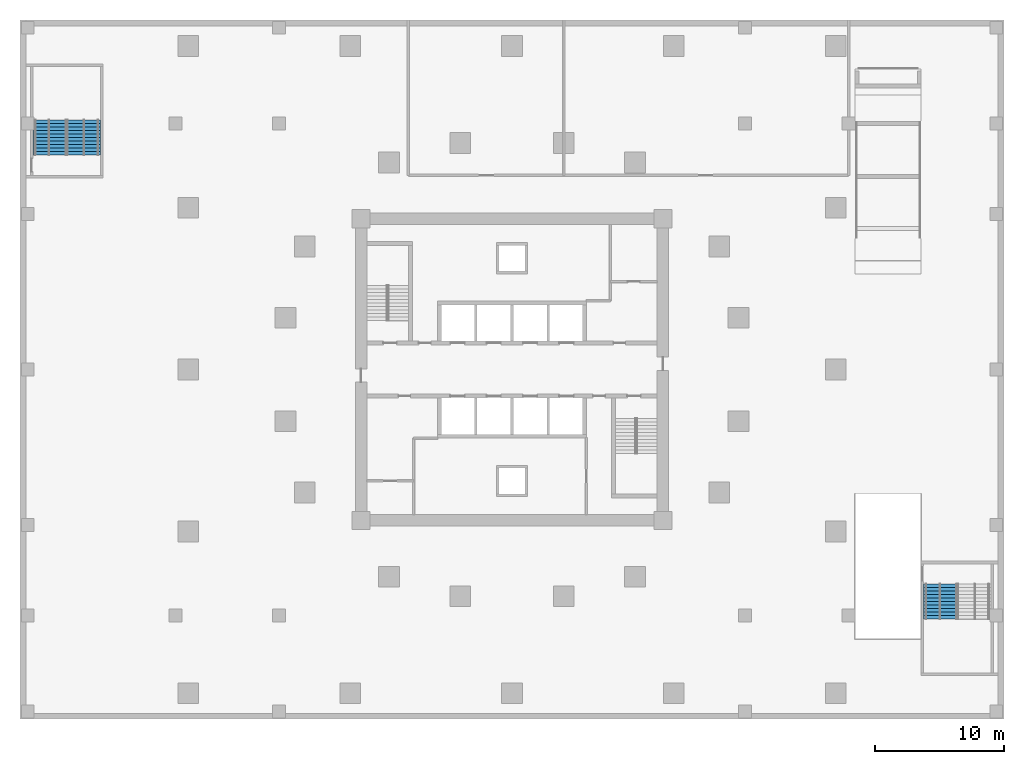
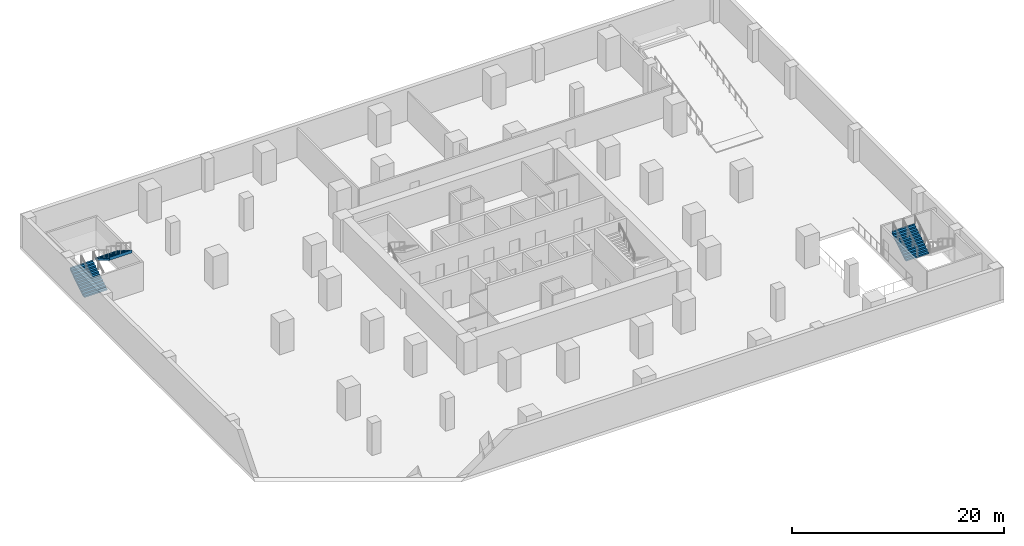
# One storey, part 7 of 9: 3 stair flights, 2 elements without a shape of their own.
"""IFC4 building model written with IfcOpenShell, lengths in metres."""

from ifc_helpers import new_model, si_unit, direction, frame, origin, place, context, subcontext, project, spatial, faceted_brep, material, type_object, element, aggregate, save


model = new_model("IFC4")

# Units and contexts
model_context = context("Model", 3, precision=1e-05, world=origin(), true_north=direction((0.0, 1.0)))
body_context = subcontext(model_context, "Body", "Model", "MODEL_VIEW")
ifc_project = project(units=[si_unit("LENGTHUNIT", "METRE"), si_unit("AREAUNIT", "SQUARE_METRE"), si_unit("VOLUMEUNIT", "CUBIC_METRE"), si_unit("PLANEANGLEUNIT", "RADIAN"), si_unit("MASSUNIT", "GRAM", prefix="KILO")], contexts=[model_context])

# Site, building, storey
site_placement = place(None, origin())
site = spatial("IfcSite", under=ifc_project, at=site_placement, CompositionType="ELEMENT")
building_placement = place(site_placement, origin())
building = spatial("IfcBuilding", under=site, at=building_placement, Name="Torsade Residences", CompositionType="ELEMENT")
storey_placement = place(building_placement, frame((0.0, 0.0, -3.699951171875)))
storey = spatial("IfcBuildingStorey", under=building, at=storey_placement, Name="B1", CompositionType="ELEMENT", Elevation=-3.699951171875)

# Stair, stair flights
ifc_material_1 = material(Name="Concrete 40 MPa", Category="concrete")
stair_type = type_object("IfcStairType", Name="HALF-TURN PODIUM STAIR 2500x3700", PredefinedType="HALF_TURN_STAIR", material=ifc_material_1)
stair_1_placement = place(storey_placement, origin())
stair_1 = element("IfcStair", 1, at=stair_1_placement, inside=storey, type_object=stair_type, Name="Stair ST3 B1", PredefinedType="HALF_TURN_STAIR")
ifc_material_2 = material(Name="Concrete 40 MPa", Category="concrete")
stair_flight_type = type_object("IfcStairFlightType", Name="PODIUM STAIR FLIGHT 2500x1850", PredefinedType="STRAIGHT", material=ifc_material_2)
stair_flight_1_placement = place(storey_placement, frame((4.25, 46.580078125, 0.0), z_axis=(0.0, 0.0, 1.0), x_axis=(0.0, 1.0, 0.0)))
stair_flight_1 = element("IfcStairFlight", 2, at=stair_flight_1_placement, type_object=stair_flight_type, Name="ST3 flight 1", NumberOfRisers=11, NumberOfTreads=10, PredefinedType="STRAIGHT", RiserHeight=0.168181818, TreadLength=0.27, context=body_context, shape_type="Brep", body=[
    faceted_brep([(0.0, 1.25, 0.0), (0.0, 1.25, 0.168212890625), (0.27001953125, 1.25, 0.168212890625), (0.27001953125, 1.25, 0.33642578125), (0.5400390625, 1.25, 0.33642578125), (0.5400390625, 1.25, 0.504638671875), (0.81005859375, 1.25, 0.504638671875), (0.81005859375, 1.25, 0.672607421875), (1.080078125, 1.25, 0.672607421875), (1.080078125, 1.25, 0.8408203125), (1.35009765625, 1.25, 0.8408203125), (1.35009765625, 1.25, 1.009033203125), (1.6201171875, 1.25, 1.009033203125), (1.6201171875, 1.25, 1.17724609375), (1.889892578125, 1.25, 1.17724609375), (1.889892578125, 1.25, 1.345458984375), (2.159912109375, 1.25, 1.345458984375), (2.159912109375, 1.25, 1.513671875), (2.429931640625, 1.25, 1.513671875), (2.429931640625, 1.25, 1.681884765625), (2.699951171875, 1.25, 1.681884765625), (2.699951171875, 1.25, 1.85009765625), (2.7099609375, 1.25, 1.85009765625), (2.7099609375, 1.25, 1.505126953125), (2.699951171875, 1.25, 1.505126953125), (0.283447265625, 1.25, 0.0), (0.283447265625, -1.25, 0.0), (2.699951171875, -1.25, 1.505126953125), (2.7099609375, -1.25, 1.505126953125), (2.7099609375, -1.25, 1.85009765625), (2.699951171875, -1.25, 1.85009765625), (2.699951171875, -1.25, 1.681884765625), (2.429931640625, -1.25, 1.681884765625), (2.429931640625, -1.25, 1.513671875), (2.159912109375, -1.25, 1.513671875), (2.159912109375, -1.25, 1.345458984375), (1.889892578125, -1.25, 1.345458984375), (1.889892578125, -1.25, 1.17724609375), (1.6201171875, -1.25, 1.17724609375), (1.6201171875, -1.25, 1.009033203125), (1.35009765625, -1.25, 1.009033203125), (1.35009765625, -1.25, 0.8408203125), (1.080078125, -1.25, 0.8408203125), (1.080078125, -1.25, 0.672607421875), (0.81005859375, -1.25, 0.672607421875), (0.81005859375, -1.25, 0.504638671875), (0.5400390625, -1.25, 0.504638671875), (0.5400390625, -1.25, 0.33642578125), (0.27001953125, -1.25, 0.33642578125), (0.27001953125, -1.25, 0.168212890625), (0.0, -1.25, 0.168212890625), (0.0, -1.25, 0.0), (0.0, 0.75, 0.0), (0.0, 0.75, 0.168212890625), (0.0, 0.25, 0.0), (0.0, 0.25, 0.168212890625), (0.0, -0.25, 0.0), (0.0, -0.25, 0.168212890625), (0.0, -0.75, 0.0), (0.0, -0.75, 0.168212890625), (0.27001953125, 0.75, 0.168212890625), (0.27001953125, 0.25, 0.168212890625), (0.27001953125, -0.25, 0.168212890625), (0.27001953125, -0.75, 0.168212890625), (0.27001953125, 0.75, 0.33642578125), (0.27001953125, 0.25, 0.33642578125), (0.27001953125, -0.25, 0.33642578125), (0.27001953125, -0.75, 0.33642578125), (0.5400390625, 0.75, 0.33642578125), (0.5400390625, 0.25, 0.33642578125), (0.5400390625, -0.25, 0.33642578125), (0.5400390625, -0.75, 0.33642578125), (0.5400390625, 0.75, 0.504638671875), (0.5400390625, 0.25, 0.504638671875), (0.5400390625, -0.25, 0.504638671875), (0.5400390625, -0.75, 0.504638671875), (0.81005859375, 0.75, 0.504638671875), (0.81005859375, 0.25, 0.504638671875), (0.81005859375, -0.25, 0.504638671875), (0.81005859375, -0.75, 0.504638671875), (0.81005859375, 0.75, 0.672607421875), (0.81005859375, 0.25, 0.672607421875), (0.81005859375, -0.25, 0.672607421875), (0.81005859375, -0.75, 0.672607421875), (1.080078125, 0.75, 0.672607421875), (1.080078125, 0.25, 0.672607421875), (1.080078125, -0.25, 0.672607421875), (1.080078125, -0.75, 0.672607421875), (1.080078125, 0.75, 0.8408203125), (1.080078125, 0.25, 0.8408203125), (1.080078125, -0.25, 0.8408203125), (1.080078125, -0.75, 0.8408203125), (1.35009765625, 0.75, 0.8408203125), (1.35009765625, 0.25, 0.8408203125), (1.35009765625, -0.25, 0.8408203125), (1.35009765625, -0.75, 0.8408203125), (1.35009765625, 0.75, 1.009033203125), (1.35009765625, 0.25, 1.009033203125), (1.35009765625, -0.25, 1.009033203125), (1.35009765625, -0.75, 1.009033203125), (1.6201171875, 0.75, 1.009033203125), (1.6201171875, 0.25, 1.009033203125), (1.6201171875, -0.25, 1.009033203125), (1.6201171875, -0.75, 1.009033203125), (1.6201171875, 0.75, 1.17724609375), (1.6201171875, 0.25, 1.17724609375), (1.6201171875, -0.25, 1.17724609375), (1.6201171875, -0.75, 1.17724609375), (1.889892578125, 0.75, 1.17724609375), (1.889892578125, 0.25, 1.17724609375), (1.889892578125, -0.25, 1.17724609375), (1.889892578125, -0.75, 1.17724609375), (1.889892578125, 0.75, 1.345458984375), (1.889892578125, 0.25, 1.345458984375), (1.889892578125, -0.25, 1.345458984375), (1.889892578125, -0.75, 1.345458984375), (2.159912109375, 0.75, 1.345458984375), (2.159912109375, 0.25, 1.345458984375), (2.159912109375, -0.25, 1.345458984375), (2.159912109375, -0.75, 1.345458984375), (2.159912109375, 0.75, 1.513671875), (2.159912109375, 0.25, 1.513671875), (2.159912109375, -0.25, 1.513671875), (2.159912109375, -0.75, 1.513671875), (2.429931640625, 0.75, 1.513671875), (2.429931640625, 0.25, 1.513671875), (2.429931640625, -0.25, 1.513671875), (2.429931640625, -0.75, 1.513671875), (2.429931640625, 0.75, 1.681884765625), (2.429931640625, 0.25, 1.681884765625), (2.429931640625, -0.25, 1.681884765625), (2.429931640625, -0.75, 1.681884765625), (2.699951171875, 0.75, 1.681884765625), (2.699951171875, 0.25, 1.681884765625), (2.699951171875, -0.25, 1.681884765625), (2.699951171875, -0.75, 1.681884765625), (2.699951171875, 0.75, 1.85009765625), (2.699951171875, 0.25, 1.85009765625), (2.699951171875, -0.25, 1.85009765625), (2.699951171875, -0.75, 1.85009765625), (2.7099609375, 0.75, 1.85009765625), (2.7099609375, 0.25, 1.85009765625), (2.7099609375, -0.25, 1.85009765625), (2.7099609375, -0.75, 1.85009765625), (2.7099609375, 0.75, 1.505126953125), (2.7099609375, 0.25, 1.505126953125), (2.7099609375, -0.25, 1.505126953125), (2.7099609375, -0.75, 1.505126953125), (2.699951171875, 0.75, 1.505126953125), (2.699951171875, 0.25, 1.505126953125), (2.699951171875, -0.25, 1.505126953125), (2.699951171875, -0.75, 1.505126953125), (0.283447265625, 0.75, 0.0), (0.283447265625, 0.25, 0.0), (0.283447265625, -0.25, 0.0), (0.283447265625, -0.75, 0.0)], [[[0, 1, 2, 3, 4, 5, 6, 7, 8, 9, 10, 11, 12, 13, 14, 15, 16, 17, 18, 19, 20, 21, 22, 23, 24, 25]], [[26, 27, 28, 29, 30, 31, 32, 33, 34, 35, 36, 37, 38, 39, 40, 41, 42, 43, 44, 45, 46, 47, 48, 49, 50, 51]], [[52, 53, 1, 0]], [[54, 55, 53, 52]], [[56, 57, 55, 54]], [[58, 59, 57, 56]], [[51, 50, 59, 58]], [[53, 60, 2, 1]], [[55, 61, 60, 53]], [[57, 62, 61, 55]], [[59, 63, 62, 57]], [[50, 49, 63, 59]], [[60, 64, 3, 2]], [[61, 65, 64, 60]], [[62, 66, 65, 61]], [[63, 67, 66, 62]], [[49, 48, 67, 63]], [[64, 68, 4, 3]], [[65, 69, 68, 64]], [[66, 70, 69, 65]], [[67, 71, 70, 66]], [[48, 47, 71, 67]], [[68, 72, 5, 4]], [[69, 73, 72, 68]], [[70, 74, 73, 69]], [[71, 75, 74, 70]], [[47, 46, 75, 71]], [[72, 76, 6, 5]], [[73, 77, 76, 72]], [[74, 78, 77, 73]], [[75, 79, 78, 74]], [[46, 45, 79, 75]], [[76, 80, 7, 6]], [[77, 81, 80, 76]], [[78, 82, 81, 77]], [[79, 83, 82, 78]], [[45, 44, 83, 79]], [[80, 84, 8, 7]], [[81, 85, 84, 80]], [[82, 86, 85, 81]], [[83, 87, 86, 82]], [[44, 43, 87, 83]], [[84, 88, 9, 8]], [[85, 89, 88, 84]], [[86, 90, 89, 85]], [[87, 91, 90, 86]], [[43, 42, 91, 87]], [[88, 92, 10, 9]], [[89, 93, 92, 88]], [[90, 94, 93, 89]], [[91, 95, 94, 90]], [[42, 41, 95, 91]], [[92, 96, 11, 10]], [[93, 97, 96, 92]], [[94, 98, 97, 93]], [[95, 99, 98, 94]], [[41, 40, 99, 95]], [[96, 100, 12, 11]], [[97, 101, 100, 96]], [[98, 102, 101, 97]], [[99, 103, 102, 98]], [[40, 39, 103, 99]], [[100, 104, 13, 12]], [[101, 105, 104, 100]], [[102, 106, 105, 101]], [[103, 107, 106, 102]], [[39, 38, 107, 103]], [[104, 108, 14, 13]], [[105, 109, 108, 104]], [[106, 110, 109, 105]], [[107, 111, 110, 106]], [[38, 37, 111, 107]], [[108, 112, 15, 14]], [[109, 113, 112, 108]], [[110, 114, 113, 109]], [[111, 115, 114, 110]], [[37, 36, 115, 111]], [[112, 116, 16, 15]], [[113, 117, 116, 112]], [[114, 118, 117, 113]], [[115, 119, 118, 114]], [[36, 35, 119, 115]], [[116, 120, 17, 16]], [[117, 121, 120, 116]], [[118, 122, 121, 117]], [[119, 123, 122, 118]], [[35, 34, 123, 119]], [[120, 124, 18, 17]], [[121, 125, 124, 120]], [[122, 126, 125, 121]], [[123, 127, 126, 122]], [[34, 33, 127, 123]], [[124, 128, 19, 18]], [[125, 129, 128, 124]], [[126, 130, 129, 125]], [[127, 131, 130, 126]], [[33, 32, 131, 127]], [[128, 132, 20, 19]], [[129, 133, 132, 128]], [[130, 134, 133, 129]], [[131, 135, 134, 130]], [[32, 31, 135, 131]], [[132, 136, 21, 20]], [[133, 137, 136, 132]], [[134, 138, 137, 133]], [[135, 139, 138, 134]], [[31, 30, 139, 135]], [[136, 140, 22, 21]], [[137, 141, 140, 136]], [[138, 142, 141, 137]], [[139, 143, 142, 138]], [[30, 29, 143, 139]], [[140, 144, 23, 22]], [[141, 145, 144, 140]], [[142, 146, 145, 141]], [[143, 147, 146, 142]], [[29, 28, 147, 143]], [[144, 148, 24, 23]], [[145, 149, 148, 144]], [[146, 150, 149, 145]], [[147, 151, 150, 146]], [[28, 27, 151, 147]], [[148, 152, 25, 24]], [[149, 153, 152, 148]], [[150, 154, 153, 149]], [[151, 155, 154, 150]], [[27, 26, 155, 151]], [[152, 52, 0, 25]], [[153, 54, 52, 152]], [[154, 56, 54, 153]], [[155, 58, 56, 154]], [[26, 51, 58, 155]]]),
])
stair_flight_2_placement = place(storey_placement, frame((6.949951171875, 49.280029296875, 1.849853515625), z_axis=(0.0, 0.0, 1.0), x_axis=(0.0, -1.0, 0.0)))
stair_flight_2 = element("IfcStairFlight", 3, at=stair_flight_2_placement, type_object=stair_flight_type, Name="ST3 flight 2", NumberOfRisers=11, NumberOfTreads=10, PredefinedType="STRAIGHT", RiserHeight=0.168181818, TreadLength=0.27, context=body_context, shape_type="Brep", body=[
    faceted_brep([(0.0, 1.25, 0.0), (0.0, 1.25, 0.168212890625), (0.27001953125, 1.25, 0.168212890625), (0.27001953125, 1.25, 0.33642578125), (0.5400390625, 1.25, 0.33642578125), (0.5400390625, 1.25, 0.504638671875), (0.81005859375, 1.25, 0.504638671875), (0.81005859375, 1.25, 0.672607421875), (1.080078125, 1.25, 0.672607421875), (1.080078125, 1.25, 0.8408203125), (1.35009765625, 1.25, 0.8408203125), (1.35009765625, 1.25, 1.009033203125), (1.6201171875, 1.25, 1.009033203125), (1.6201171875, 1.25, 1.17724609375), (1.889892578125, 1.25, 1.17724609375), (1.889892578125, 1.25, 1.345458984375), (2.159912109375, 1.25, 1.345458984375), (2.159912109375, 1.25, 1.513671875), (2.429931640625, 1.25, 1.513671875), (2.429931640625, 1.25, 1.681884765625), (2.699951171875, 1.25, 1.681884765625), (2.699951171875, 1.25, 1.85009765625), (2.7099609375, 1.25, 1.85009765625), (2.7099609375, 1.25, 1.505126953125), (2.699951171875, 1.25, 1.505126953125), (0.283447265625, 1.25, 0.0), (0.283447265625, -1.25, 0.0), (2.699951171875, -1.25, 1.505126953125), (2.7099609375, -1.25, 1.505126953125), (2.7099609375, -1.25, 1.85009765625), (2.699951171875, -1.25, 1.85009765625), (2.699951171875, -1.25, 1.681884765625), (2.429931640625, -1.25, 1.681884765625), (2.429931640625, -1.25, 1.513671875), (2.159912109375, -1.25, 1.513671875), (2.159912109375, -1.25, 1.345458984375), (1.889892578125, -1.25, 1.345458984375), (1.889892578125, -1.25, 1.17724609375), (1.6201171875, -1.25, 1.17724609375), (1.6201171875, -1.25, 1.009033203125), (1.35009765625, -1.25, 1.009033203125), (1.35009765625, -1.25, 0.8408203125), (1.080078125, -1.25, 0.8408203125), (1.080078125, -1.25, 0.672607421875), (0.81005859375, -1.25, 0.672607421875), (0.81005859375, -1.25, 0.504638671875), (0.5400390625, -1.25, 0.504638671875), (0.5400390625, -1.25, 0.33642578125), (0.27001953125, -1.25, 0.33642578125), (0.27001953125, -1.25, 0.168212890625), (0.0, -1.25, 0.168212890625), (0.0, -1.25, 0.0), (0.0, 0.75, 0.0), (0.0, 0.75, 0.168212890625), (0.0, 0.25, 0.0), (0.0, 0.25, 0.168212890625), (0.0, -0.25, 0.0), (0.0, -0.25, 0.168212890625), (0.0, -0.75, 0.0), (0.0, -0.75, 0.168212890625), (0.27001953125, 0.75, 0.168212890625), (0.27001953125, 0.25, 0.168212890625), (0.27001953125, -0.25, 0.168212890625), (0.27001953125, -0.75, 0.168212890625), (0.27001953125, 0.75, 0.33642578125), (0.27001953125, 0.25, 0.33642578125), (0.27001953125, -0.25, 0.33642578125), (0.27001953125, -0.75, 0.33642578125), (0.5400390625, 0.75, 0.33642578125), (0.5400390625, 0.25, 0.33642578125), (0.5400390625, -0.25, 0.33642578125), (0.5400390625, -0.75, 0.33642578125), (0.5400390625, 0.75, 0.504638671875), (0.5400390625, 0.25, 0.504638671875), (0.5400390625, -0.25, 0.504638671875), (0.5400390625, -0.75, 0.504638671875), (0.81005859375, 0.75, 0.504638671875), (0.81005859375, 0.25, 0.504638671875), (0.81005859375, -0.25, 0.504638671875), (0.81005859375, -0.75, 0.504638671875), (0.81005859375, 0.75, 0.672607421875), (0.81005859375, 0.25, 0.672607421875), (0.81005859375, -0.25, 0.672607421875), (0.81005859375, -0.75, 0.672607421875), (1.080078125, 0.75, 0.672607421875), (1.080078125, 0.25, 0.672607421875), (1.080078125, -0.25, 0.672607421875), (1.080078125, -0.75, 0.672607421875), (1.080078125, 0.75, 0.8408203125), (1.080078125, 0.25, 0.8408203125), (1.080078125, -0.25, 0.8408203125), (1.080078125, -0.75, 0.8408203125), (1.35009765625, 0.75, 0.8408203125), (1.35009765625, 0.25, 0.8408203125), (1.35009765625, -0.25, 0.8408203125), (1.35009765625, -0.75, 0.8408203125), (1.35009765625, 0.75, 1.009033203125), (1.35009765625, 0.25, 1.009033203125), (1.35009765625, -0.25, 1.009033203125), (1.35009765625, -0.75, 1.009033203125), (1.6201171875, 0.75, 1.009033203125), (1.6201171875, 0.25, 1.009033203125), (1.6201171875, -0.25, 1.009033203125), (1.6201171875, -0.75, 1.009033203125), (1.6201171875, 0.75, 1.17724609375), (1.6201171875, 0.25, 1.17724609375), (1.6201171875, -0.25, 1.17724609375), (1.6201171875, -0.75, 1.17724609375), (1.889892578125, 0.75, 1.17724609375), (1.889892578125, 0.25, 1.17724609375), (1.889892578125, -0.25, 1.17724609375), (1.889892578125, -0.75, 1.17724609375), (1.889892578125, 0.75, 1.345458984375), (1.889892578125, 0.25, 1.345458984375), (1.889892578125, -0.25, 1.345458984375), (1.889892578125, -0.75, 1.345458984375), (2.159912109375, 0.75, 1.345458984375), (2.159912109375, 0.25, 1.345458984375), (2.159912109375, -0.25, 1.345458984375), (2.159912109375, -0.75, 1.345458984375), (2.159912109375, 0.75, 1.513671875), (2.159912109375, 0.25, 1.513671875), (2.159912109375, -0.25, 1.513671875), (2.159912109375, -0.75, 1.513671875), (2.429931640625, 0.75, 1.513671875), (2.429931640625, 0.25, 1.513671875), (2.429931640625, -0.25, 1.513671875), (2.429931640625, -0.75, 1.513671875), (2.429931640625, 0.75, 1.681884765625), (2.429931640625, 0.25, 1.681884765625), (2.429931640625, -0.25, 1.681884765625), (2.429931640625, -0.75, 1.681884765625), (2.699951171875, 0.75, 1.681884765625), (2.699951171875, 0.25, 1.681884765625), (2.699951171875, -0.25, 1.681884765625), (2.699951171875, -0.75, 1.681884765625), (2.699951171875, 0.75, 1.85009765625), (2.699951171875, 0.25, 1.85009765625), (2.699951171875, -0.25, 1.85009765625), (2.699951171875, -0.75, 1.85009765625), (2.7099609375, 0.75, 1.85009765625), (2.7099609375, 0.25, 1.85009765625), (2.7099609375, -0.25, 1.85009765625), (2.7099609375, -0.75, 1.85009765625), (2.7099609375, 0.75, 1.505126953125), (2.7099609375, 0.25, 1.505126953125), (2.7099609375, -0.25, 1.505126953125), (2.7099609375, -0.75, 1.505126953125), (2.699951171875, 0.75, 1.505126953125), (2.699951171875, 0.25, 1.505126953125), (2.699951171875, -0.25, 1.505126953125), (2.699951171875, -0.75, 1.505126953125), (0.283447265625, 0.75, 0.0), (0.283447265625, 0.25, 0.0), (0.283447265625, -0.25, 0.0), (0.283447265625, -0.75, 0.0)], [[[0, 1, 2, 3, 4, 5, 6, 7, 8, 9, 10, 11, 12, 13, 14, 15, 16, 17, 18, 19, 20, 21, 22, 23, 24, 25]], [[26, 27, 28, 29, 30, 31, 32, 33, 34, 35, 36, 37, 38, 39, 40, 41, 42, 43, 44, 45, 46, 47, 48, 49, 50, 51]], [[52, 53, 1, 0]], [[54, 55, 53, 52]], [[56, 57, 55, 54]], [[58, 59, 57, 56]], [[51, 50, 59, 58]], [[53, 60, 2, 1]], [[55, 61, 60, 53]], [[57, 62, 61, 55]], [[59, 63, 62, 57]], [[50, 49, 63, 59]], [[60, 64, 3, 2]], [[61, 65, 64, 60]], [[62, 66, 65, 61]], [[63, 67, 66, 62]], [[49, 48, 67, 63]], [[64, 68, 4, 3]], [[65, 69, 68, 64]], [[66, 70, 69, 65]], [[67, 71, 70, 66]], [[48, 47, 71, 67]], [[68, 72, 5, 4]], [[69, 73, 72, 68]], [[70, 74, 73, 69]], [[71, 75, 74, 70]], [[47, 46, 75, 71]], [[72, 76, 6, 5]], [[73, 77, 76, 72]], [[74, 78, 77, 73]], [[75, 79, 78, 74]], [[46, 45, 79, 75]], [[76, 80, 7, 6]], [[77, 81, 80, 76]], [[78, 82, 81, 77]], [[79, 83, 82, 78]], [[45, 44, 83, 79]], [[80, 84, 8, 7]], [[81, 85, 84, 80]], [[82, 86, 85, 81]], [[83, 87, 86, 82]], [[44, 43, 87, 83]], [[84, 88, 9, 8]], [[85, 89, 88, 84]], [[86, 90, 89, 85]], [[87, 91, 90, 86]], [[43, 42, 91, 87]], [[88, 92, 10, 9]], [[89, 93, 92, 88]], [[90, 94, 93, 89]], [[91, 95, 94, 90]], [[42, 41, 95, 91]], [[92, 96, 11, 10]], [[93, 97, 96, 92]], [[94, 98, 97, 93]], [[95, 99, 98, 94]], [[41, 40, 99, 95]], [[96, 100, 12, 11]], [[97, 101, 100, 96]], [[98, 102, 101, 97]], [[99, 103, 102, 98]], [[40, 39, 103, 99]], [[100, 104, 13, 12]], [[101, 105, 104, 100]], [[102, 106, 105, 101]], [[103, 107, 106, 102]], [[39, 38, 107, 103]], [[104, 108, 14, 13]], [[105, 109, 108, 104]], [[106, 110, 109, 105]], [[107, 111, 110, 106]], [[38, 37, 111, 107]], [[108, 112, 15, 14]], [[109, 113, 112, 108]], [[110, 114, 113, 109]], [[111, 115, 114, 110]], [[37, 36, 115, 111]], [[112, 116, 16, 15]], [[113, 117, 116, 112]], [[114, 118, 117, 113]], [[115, 119, 118, 114]], [[36, 35, 119, 115]], [[116, 120, 17, 16]], [[117, 121, 120, 116]], [[118, 122, 121, 117]], [[119, 123, 122, 118]], [[35, 34, 123, 119]], [[120, 124, 18, 17]], [[121, 125, 124, 120]], [[122, 126, 125, 121]], [[123, 127, 126, 122]], [[34, 33, 127, 123]], [[124, 128, 19, 18]], [[125, 129, 128, 124]], [[126, 130, 129, 125]], [[127, 131, 130, 126]], [[33, 32, 131, 127]], [[128, 132, 20, 19]], [[129, 133, 132, 128]], [[130, 134, 133, 129]], [[131, 135, 134, 130]], [[32, 31, 135, 131]], [[132, 136, 21, 20]], [[133, 137, 136, 132]], [[134, 138, 137, 133]], [[135, 139, 138, 134]], [[31, 30, 139, 135]], [[136, 140, 22, 21]], [[137, 141, 140, 136]], [[138, 142, 141, 137]], [[139, 143, 142, 138]], [[30, 29, 143, 139]], [[140, 144, 23, 22]], [[141, 145, 144, 140]], [[142, 146, 145, 141]], [[143, 147, 146, 142]], [[29, 28, 147, 143]], [[144, 148, 24, 23]], [[145, 149, 148, 144]], [[146, 150, 149, 145]], [[147, 151, 150, 146]], [[28, 27, 151, 147]], [[148, 152, 25, 24]], [[149, 153, 152, 148]], [[150, 154, 153, 149]], [[151, 155, 154, 150]], [[27, 26, 155, 151]], [[152, 52, 0, 25]], [[153, 54, 52, 152]], [[154, 56, 54, 153]], [[155, 58, 56, 154]], [[26, 51, 58, 155]]]),
])
aggregate(stair_1, [stair_flight_1, stair_flight_2])

# Stair, stair flight
stair_2_placement = place(storey_placement, origin())
stair_2 = element("IfcStair", 4, at=stair_2_placement, inside=storey, type_object=stair_type, Name="Stair ST4 B1", PredefinedType="HALF_TURN_STAIR")
stair_flight_3_placement = place(storey_placement, frame((73.050048828125, 10.719970703125, 1.849853515625), z_axis=(0.0, 0.0, 1.0), x_axis=(0.0, 1.0, 0.0)))
stair_flight_3 = element("IfcStairFlight", 5, at=stair_flight_3_placement, type_object=stair_flight_type, Name="ST4 flight 2", NumberOfRisers=11, NumberOfTreads=10, PredefinedType="STRAIGHT", RiserHeight=0.168181818, TreadLength=0.27, context=body_context, shape_type="Brep", body=[
    faceted_brep([(0.0, 1.25, 0.0), (0.0, 1.25, 0.168212890625), (0.27001953125, 1.25, 0.168212890625), (0.27001953125, 1.25, 0.33642578125), (0.5400390625, 1.25, 0.33642578125), (0.5400390625, 1.25, 0.504638671875), (0.81005859375, 1.25, 0.504638671875), (0.81005859375, 1.25, 0.672607421875), (1.080078125, 1.25, 0.672607421875), (1.080078125, 1.25, 0.8408203125), (1.35009765625, 1.25, 0.8408203125), (1.35009765625, 1.25, 1.009033203125), (1.6201171875, 1.25, 1.009033203125), (1.6201171875, 1.25, 1.17724609375), (1.889892578125, 1.25, 1.17724609375), (1.889892578125, 1.25, 1.345458984375), (2.159912109375, 1.25, 1.345458984375), (2.159912109375, 1.25, 1.513671875), (2.429931640625, 1.25, 1.513671875), (2.429931640625, 1.25, 1.681884765625), (2.699951171875, 1.25, 1.681884765625), (2.699951171875, 1.25, 1.85009765625), (2.7099609375, 1.25, 1.85009765625), (2.7099609375, 1.25, 1.505126953125), (2.699951171875, 1.25, 1.505126953125), (0.283447265625, 1.25, 0.0), (0.283447265625, -1.25, 0.0), (2.699951171875, -1.25, 1.505126953125), (2.7099609375, -1.25, 1.505126953125), (2.7099609375, -1.25, 1.85009765625), (2.699951171875, -1.25, 1.85009765625), (2.699951171875, -1.25, 1.681884765625), (2.429931640625, -1.25, 1.681884765625), (2.429931640625, -1.25, 1.513671875), (2.159912109375, -1.25, 1.513671875), (2.159912109375, -1.25, 1.345458984375), (1.889892578125, -1.25, 1.345458984375), (1.889892578125, -1.25, 1.17724609375), (1.6201171875, -1.25, 1.17724609375), (1.6201171875, -1.25, 1.009033203125), (1.35009765625, -1.25, 1.009033203125), (1.35009765625, -1.25, 0.8408203125), (1.080078125, -1.25, 0.8408203125), (1.080078125, -1.25, 0.672607421875), (0.81005859375, -1.25, 0.672607421875), (0.81005859375, -1.25, 0.504638671875), (0.5400390625, -1.25, 0.504638671875), (0.5400390625, -1.25, 0.33642578125), (0.27001953125, -1.25, 0.33642578125), (0.27001953125, -1.25, 0.168212890625), (0.0, -1.25, 0.168212890625), (0.0, -1.25, 0.0), (0.0, 0.75, 0.0), (0.0, 0.75, 0.168212890625), (0.0, 0.25, 0.0), (0.0, 0.25, 0.168212890625), (0.0, -0.25, 0.0), (0.0, -0.25, 0.168212890625), (0.0, -0.75, 0.0), (0.0, -0.75, 0.168212890625), (0.27001953125, 0.75, 0.168212890625), (0.27001953125, 0.25, 0.168212890625), (0.27001953125, -0.25, 0.168212890625), (0.27001953125, -0.75, 0.168212890625), (0.27001953125, 0.75, 0.33642578125), (0.27001953125, 0.25, 0.33642578125), (0.27001953125, -0.25, 0.33642578125), (0.27001953125, -0.75, 0.33642578125), (0.5400390625, 0.75, 0.33642578125), (0.5400390625, 0.25, 0.33642578125), (0.5400390625, -0.25, 0.33642578125), (0.5400390625, -0.75, 0.33642578125), (0.5400390625, 0.75, 0.504638671875), (0.5400390625, 0.25, 0.504638671875), (0.5400390625, -0.25, 0.504638671875), (0.5400390625, -0.75, 0.504638671875), (0.81005859375, 0.75, 0.504638671875), (0.81005859375, 0.25, 0.504638671875), (0.81005859375, -0.25, 0.504638671875), (0.81005859375, -0.75, 0.504638671875), (0.81005859375, 0.75, 0.672607421875), (0.81005859375, 0.25, 0.672607421875), (0.81005859375, -0.25, 0.672607421875), (0.81005859375, -0.75, 0.672607421875), (1.080078125, 0.75, 0.672607421875), (1.080078125, 0.25, 0.672607421875), (1.080078125, -0.25, 0.672607421875), (1.080078125, -0.75, 0.672607421875), (1.080078125, 0.75, 0.8408203125), (1.080078125, 0.25, 0.8408203125), (1.080078125, -0.25, 0.8408203125), (1.080078125, -0.75, 0.8408203125), (1.35009765625, 0.75, 0.8408203125), (1.35009765625, 0.25, 0.8408203125), (1.35009765625, -0.25, 0.8408203125), (1.35009765625, -0.75, 0.8408203125), (1.35009765625, 0.75, 1.009033203125), (1.35009765625, 0.25, 1.009033203125), (1.35009765625, -0.25, 1.009033203125), (1.35009765625, -0.75, 1.009033203125), (1.6201171875, 0.75, 1.009033203125), (1.6201171875, 0.25, 1.009033203125), (1.6201171875, -0.25, 1.009033203125), (1.6201171875, -0.75, 1.009033203125), (1.6201171875, 0.75, 1.17724609375), (1.6201171875, 0.25, 1.17724609375), (1.6201171875, -0.25, 1.17724609375), (1.6201171875, -0.75, 1.17724609375), (1.889892578125, 0.75, 1.17724609375), (1.889892578125, 0.25, 1.17724609375), (1.889892578125, -0.25, 1.17724609375), (1.889892578125, -0.75, 1.17724609375), (1.889892578125, 0.75, 1.345458984375), (1.889892578125, 0.25, 1.345458984375), (1.889892578125, -0.25, 1.345458984375), (1.889892578125, -0.75, 1.345458984375), (2.159912109375, 0.75, 1.345458984375), (2.159912109375, 0.25, 1.345458984375), (2.159912109375, -0.25, 1.345458984375), (2.159912109375, -0.75, 1.345458984375), (2.159912109375, 0.75, 1.513671875), (2.159912109375, 0.25, 1.513671875), (2.159912109375, -0.25, 1.513671875), (2.159912109375, -0.75, 1.513671875), (2.429931640625, 0.75, 1.513671875), (2.429931640625, 0.25, 1.513671875), (2.429931640625, -0.25, 1.513671875), (2.429931640625, -0.75, 1.513671875), (2.429931640625, 0.75, 1.681884765625), (2.429931640625, 0.25, 1.681884765625), (2.429931640625, -0.25, 1.681884765625), (2.429931640625, -0.75, 1.681884765625), (2.699951171875, 0.75, 1.681884765625), (2.699951171875, 0.25, 1.681884765625), (2.699951171875, -0.25, 1.681884765625), (2.699951171875, -0.75, 1.681884765625), (2.699951171875, 0.75, 1.85009765625), (2.699951171875, 0.25, 1.85009765625), (2.699951171875, -0.25, 1.85009765625), (2.699951171875, -0.75, 1.85009765625), (2.7099609375, 0.75, 1.85009765625), (2.7099609375, 0.25, 1.85009765625), (2.7099609375, -0.25, 1.85009765625), (2.7099609375, -0.75, 1.85009765625), (2.7099609375, 0.75, 1.505126953125), (2.7099609375, 0.25, 1.505126953125), (2.7099609375, -0.25, 1.505126953125), (2.7099609375, -0.75, 1.505126953125), (2.699951171875, 0.75, 1.505126953125), (2.699951171875, 0.25, 1.505126953125), (2.699951171875, -0.25, 1.505126953125), (2.699951171875, -0.75, 1.505126953125), (0.283447265625, 0.75, 0.0), (0.283447265625, 0.25, 0.0), (0.283447265625, -0.25, 0.0), (0.283447265625, -0.75, 0.0)], [[[0, 1, 2, 3, 4, 5, 6, 7, 8, 9, 10, 11, 12, 13, 14, 15, 16, 17, 18, 19, 20, 21, 22, 23, 24, 25]], [[26, 27, 28, 29, 30, 31, 32, 33, 34, 35, 36, 37, 38, 39, 40, 41, 42, 43, 44, 45, 46, 47, 48, 49, 50, 51]], [[52, 53, 1, 0]], [[54, 55, 53, 52]], [[56, 57, 55, 54]], [[58, 59, 57, 56]], [[51, 50, 59, 58]], [[53, 60, 2, 1]], [[55, 61, 60, 53]], [[57, 62, 61, 55]], [[59, 63, 62, 57]], [[50, 49, 63, 59]], [[60, 64, 3, 2]], [[61, 65, 64, 60]], [[62, 66, 65, 61]], [[63, 67, 66, 62]], [[49, 48, 67, 63]], [[64, 68, 4, 3]], [[65, 69, 68, 64]], [[66, 70, 69, 65]], [[67, 71, 70, 66]], [[48, 47, 71, 67]], [[68, 72, 5, 4]], [[69, 73, 72, 68]], [[70, 74, 73, 69]], [[71, 75, 74, 70]], [[47, 46, 75, 71]], [[72, 76, 6, 5]], [[73, 77, 76, 72]], [[74, 78, 77, 73]], [[75, 79, 78, 74]], [[46, 45, 79, 75]], [[76, 80, 7, 6]], [[77, 81, 80, 76]], [[78, 82, 81, 77]], [[79, 83, 82, 78]], [[45, 44, 83, 79]], [[80, 84, 8, 7]], [[81, 85, 84, 80]], [[82, 86, 85, 81]], [[83, 87, 86, 82]], [[44, 43, 87, 83]], [[84, 88, 9, 8]], [[85, 89, 88, 84]], [[86, 90, 89, 85]], [[87, 91, 90, 86]], [[43, 42, 91, 87]], [[88, 92, 10, 9]], [[89, 93, 92, 88]], [[90, 94, 93, 89]], [[91, 95, 94, 90]], [[42, 41, 95, 91]], [[92, 96, 11, 10]], [[93, 97, 96, 92]], [[94, 98, 97, 93]], [[95, 99, 98, 94]], [[41, 40, 99, 95]], [[96, 100, 12, 11]], [[97, 101, 100, 96]], [[98, 102, 101, 97]], [[99, 103, 102, 98]], [[40, 39, 103, 99]], [[100, 104, 13, 12]], [[101, 105, 104, 100]], [[102, 106, 105, 101]], [[103, 107, 106, 102]], [[39, 38, 107, 103]], [[104, 108, 14, 13]], [[105, 109, 108, 104]], [[106, 110, 109, 105]], [[107, 111, 110, 106]], [[38, 37, 111, 107]], [[108, 112, 15, 14]], [[109, 113, 112, 108]], [[110, 114, 113, 109]], [[111, 115, 114, 110]], [[37, 36, 115, 111]], [[112, 116, 16, 15]], [[113, 117, 116, 112]], [[114, 118, 117, 113]], [[115, 119, 118, 114]], [[36, 35, 119, 115]], [[116, 120, 17, 16]], [[117, 121, 120, 116]], [[118, 122, 121, 117]], [[119, 123, 122, 118]], [[35, 34, 123, 119]], [[120, 124, 18, 17]], [[121, 125, 124, 120]], [[122, 126, 125, 121]], [[123, 127, 126, 122]], [[34, 33, 127, 123]], [[124, 128, 19, 18]], [[125, 129, 128, 124]], [[126, 130, 129, 125]], [[127, 131, 130, 126]], [[33, 32, 131, 127]], [[128, 132, 20, 19]], [[129, 133, 132, 128]], [[130, 134, 133, 129]], [[131, 135, 134, 130]], [[32, 31, 135, 131]], [[132, 136, 21, 20]], [[133, 137, 136, 132]], [[134, 138, 137, 133]], [[135, 139, 138, 134]], [[31, 30, 139, 135]], [[136, 140, 22, 21]], [[137, 141, 140, 136]], [[138, 142, 141, 137]], [[139, 143, 142, 138]], [[30, 29, 143, 139]], [[140, 144, 23, 22]], [[141, 145, 144, 140]], [[142, 146, 145, 141]], [[143, 147, 146, 142]], [[29, 28, 147, 143]], [[144, 148, 24, 23]], [[145, 149, 148, 144]], [[146, 150, 149, 145]], [[147, 151, 150, 146]], [[28, 27, 151, 147]], [[148, 152, 25, 24]], [[149, 153, 152, 148]], [[150, 154, 153, 149]], [[151, 155, 154, 150]], [[27, 26, 155, 151]], [[152, 52, 0, 25]], [[153, 54, 52, 152]], [[154, 56, 54, 153]], [[155, 58, 56, 154]], [[26, 51, 58, 155]]]),
])
aggregate(stair_2, [stair_flight_3])

save(model, "model.ifc")
